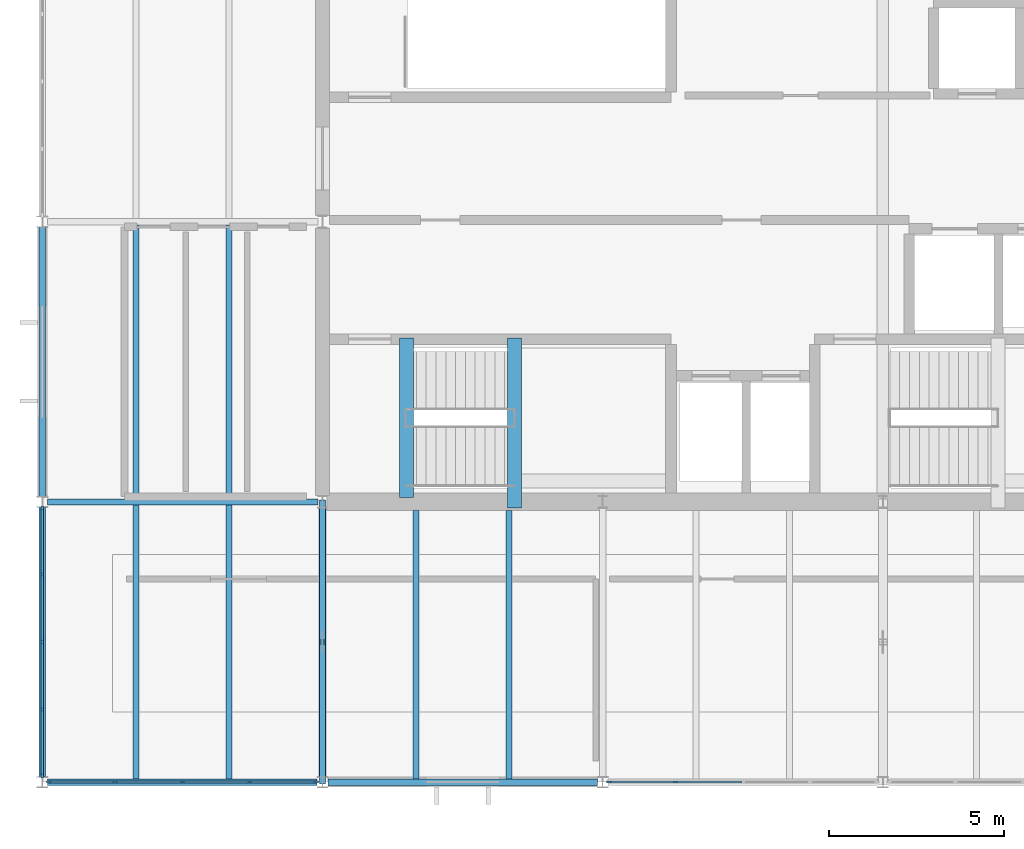
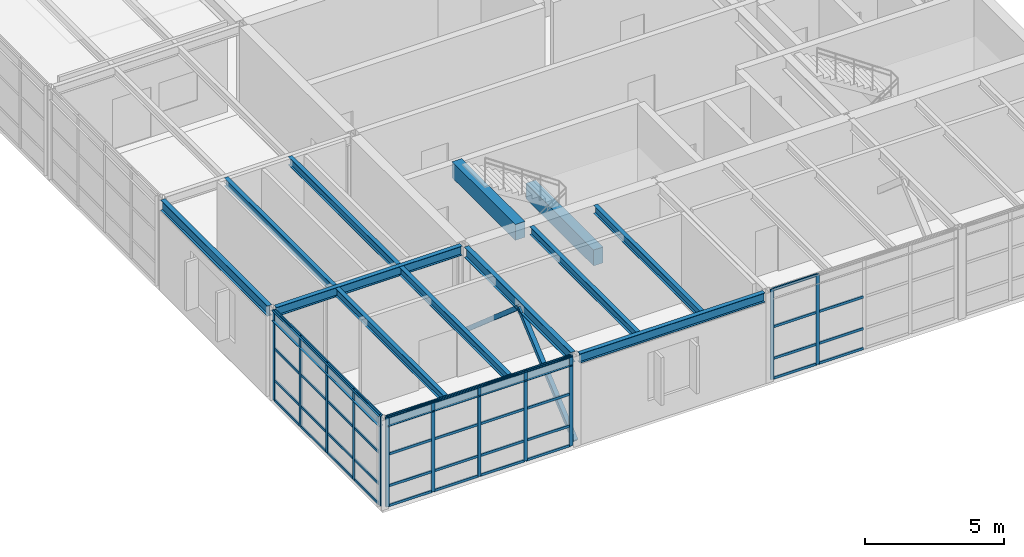
# One storey, part 3 of 15: 53 members, 14 beams, 3 elements without a shape of their own.
"""IFC4 building model written with IfcOpenShell, lengths in metres."""

from ifc_helpers import new_model, si_unit, direction, frame, origin, origin_2d, place, context, subcontext, project, spatial, rectangle, hollow_rectangle, i_section, extrude, material, layer, layer_set, material_profile, profile_set, type_object, element, aggregate, save


model = new_model("IFC4")

# Units and contexts
model_context = context("Model", 3, precision=1e-05, world=origin(), true_north=direction((0.0, 1.0)))
body_context = subcontext(model_context, "Body", "Model", "MODEL_VIEW")
ifc_project = project(units=[si_unit("LENGTHUNIT", "METRE"), si_unit("AREAUNIT", "SQUARE_METRE"), si_unit("VOLUMEUNIT", "CUBIC_METRE"), si_unit("PLANEANGLEUNIT", "RADIAN"), si_unit("MASSUNIT", "GRAM", prefix="KILO")], contexts=[model_context])

# Site, building, storey
site_placement = place(None, origin())
site = spatial("IfcSite", under=ifc_project, at=site_placement, CompositionType="ELEMENT")
building_placement = place(site_placement, origin())
building = spatial("IfcBuilding", under=site, at=building_placement, Name="Varnela Railside Interchange", CompositionType="ELEMENT")
storey_placement = place(building_placement, frame((0.0, 0.0, 32.199951171875)))
storey = spatial("IfcBuildingStorey", under=building, at=storey_placement, Name="L07", CompositionType="ELEMENT", Elevation=32.199951171875)

# Beams
ifc_material_1 = material(Name="Concrete C40", Category="concrete")
ifc_material_profile_1 = material_profile(ifc_material_1, rectangle(XDim=0.39990234375, YDim=0.699951171875, at=origin_2d()), Name="RC 400x700")
ifc_profile_set_1 = profile_set([ifc_material_profile_1], Name="Concrete C40")
beam_type_1 = type_object("IfcBeamType", Name="Concrete Tie Beam B-01", PredefinedType="BEAM", material=ifc_profile_set_1)
beam_1_placement = place(storey_placement, frame((14.39990234375, 54.1201171875, 3.610107421875), z_axis=(0.0, 1.0, 0.0), x_axis=(-1.0, 0.0, 0.0)))
element("IfcBeam", 1, at=beam_1_placement, inside=storey, type_object=beam_type_1, Name="Concrete Tie Beam B-01 (L07) (BM-2783)", PredefinedType="BEAM", context=body_context, shape_type="SweptSolid", body=[
    extrude(rectangle(XDim=0.39990234375, YDim=0.699951171875, at=origin_2d()), origin(), (0.0, 0.0, 1.0), 4.559814453125),
])
beam_2_placement = place(storey_placement, frame((17.47998046875, 53.820068359375, 1.590087890625), z_axis=(0.0, 1.0, 0.0), x_axis=(-1.0, 0.0, 0.0)))
element("IfcBeam", 2, at=beam_2_placement, inside=storey, type_object=beam_type_1, Name="Concrete Tie Beam B-01 (L07) (BM-2781)", PredefinedType="BEAM", context=body_context, shape_type="SweptSolid", body=[
    extrude(rectangle(XDim=0.39990234375, YDim=0.699951171875, at=origin_2d()), origin(), (0.0, 0.0, 1.0), 4.85986328125),
])

# Members
ifc_material_2 = material(Name="Steel AR 350 (350 MPa)", Category="steel")
ifc_material_profile_2 = material_profile(ifc_material_2, hollow_rectangle(XDim=0.179931640625, YDim=0.179931640625, WallThickness=0.010009765625, at=origin_2d()), Name="HSS 180x180x10")
ifc_profile_set_2 = profile_set([ifc_material_profile_2], Name="Steel AR 350 (350 MPa)")
member_type_1 = type_object("IfcMemberType", Name="Crown Chevron Brace BR-07", PredefinedType="BRACE", material=ifc_profile_set_2)
for number, where, z_axis, x_axis, name in (
    (3, (12.0, 46.0, 0.150146484375), (0.0, 0.756316256301, 0.6542061758), (-1.0, 0.0, 0.0), "Crown Chevron Brace BR-07 (L07) (MB-0192)"),
    (4, (12.0, 54.0, 0.150146484375), (0.0, -0.756316256301, 0.6542061758), (1.0, 0.0, 0.0), "Crown Chevron Brace BR-07 (L07) (MB-0193)"),
):
    element("IfcMember", number, at=place(storey_placement, frame(where, z_axis=z_axis, x_axis=x_axis)), inside=storey, type_object=member_type_1, Name=name, PredefinedType="BRACE", context=body_context, shape_type="SweptSolid", body=[
        extrude(hollow_rectangle(XDim=0.179931640625, YDim=0.179931640625, WallThickness=0.010009765625, at=origin_2d()), origin(), (0.0, 0.0, 1.0), 5.288818359375),
    ])

# Curtain wall, members
ifc_material_3 = material(Name="Aluminium 6063-T6", Category="aluminium")
ifc_layer = layer(ifc_material_3, 0.035888671875)
ifc_layer_set = layer_set([ifc_layer], Name="Aluminium 6063-T6")
curtain_wall_type = type_object("IfcCurtainWallType", Name="Operations Wing Facade Curtain Wall CW-03", PredefinedType="USERDEFINED", material=ifc_layer_set)
curtain_wall_1_placement = place(storey_placement, origin())
curtain_wall_1 = element("IfcCurtainWall", 5, at=curtain_wall_1_placement, inside=storey, type_object=curtain_wall_type, Name="Curtain Wall CW-03 (L07) (CW-154)", ObjectType="CURTAIN WALL", PredefinedType="USERDEFINED")
ifc_material_profile_3 = material_profile(ifc_material_3, rectangle(XDim=0.06005859375, YDim=0.139892578125, at=origin_2d()), Name="ALU 60x140")
ifc_profile_set_3 = profile_set([ifc_material_profile_3], Name="Aluminium 6063-T6")
member_type_2 = type_object("IfcMemberType", Name="Curtain Wall Mullion ML-01", PredefinedType="MULLION", material=ifc_profile_set_3)
member_1_placement = place(storey_placement, frame((22.077392578125, 46.0, 0.0), z_axis=(0.0, 0.0, 1.0), x_axis=(0.0, -1.0, 0.0)))
member_1 = element("IfcMember", 6, at=member_1_placement, type_object=member_type_2, Name="CW-03 mullion 4", PredefinedType="MULLION", context=body_context, shape_type="SweptSolid", body=[
    extrude(rectangle(XDim=0.06005859375, YDim=0.139892578125, at=origin_2d()), origin(), (0.0, 0.0, 1.0), 3.9599609375),
])
member_2_placement = place(storey_placement, frame((20.18505859375, 46.0, 0.0), z_axis=(0.0, 0.0, 1.0), x_axis=(0.0, -1.0, 0.0)))
member_2 = element("IfcMember", 7, at=member_2_placement, type_object=member_type_2, Name="CW-03 mullion 5", PredefinedType="MULLION", context=body_context, shape_type="SweptSolid", body=[
    extrude(rectangle(XDim=0.06005859375, YDim=0.139892578125, at=origin_2d()), origin(), (0.0, 0.0, 1.0), 3.9599609375),
])

curtain_wall_2_placement = place(storey_placement, origin())
curtain_wall_2 = element("IfcCurtainWall", 8, at=curtain_wall_2_placement, inside=storey, type_object=curtain_wall_type, Name="Curtain Wall CW-03 (L07) (CW-155)", ObjectType="CURTAIN WALL", PredefinedType="USERDEFINED")
member_3_placement = place(storey_placement, frame((11.81494140625, 46.0, 0.0), z_axis=(0.0, 0.0, 1.0), x_axis=(0.0, -1.0, 0.0)))
member_3 = element("IfcMember", 9, at=member_3_placement, type_object=member_type_2, Name="CW-03 mullion 1", PredefinedType="MULLION", context=body_context, shape_type="SweptSolid", body=[
    extrude(rectangle(XDim=0.06005859375, YDim=0.139892578125, at=origin_2d()), origin(), (0.0, 0.0, 1.0), 3.9599609375),
])
member_4_placement = place(storey_placement, frame((9.922607421875, 46.0, 0.0), z_axis=(0.0, 0.0, 1.0), x_axis=(0.0, -1.0, 0.0)))
member_4 = element("IfcMember", 10, at=member_4_placement, type_object=member_type_2, Name="CW-03 mullion 2", PredefinedType="MULLION", context=body_context, shape_type="SweptSolid", body=[
    extrude(rectangle(XDim=0.06005859375, YDim=0.139892578125, at=origin_2d()), origin(), (0.0, 0.0, 1.0), 3.9599609375),
])
member_5_placement = place(storey_placement, frame((8.0, 46.0, 0.0), z_axis=(0.0, 0.0, 1.0), x_axis=(0.0, -1.0, 0.0)))
member_5 = element("IfcMember", 11, at=member_5_placement, type_object=member_type_2, Name="CW-03 mullion 3", PredefinedType="MULLION", context=body_context, shape_type="SweptSolid", body=[
    extrude(rectangle(XDim=0.06005859375, YDim=0.139892578125, at=origin_2d()), origin(), (0.0, 0.0, 1.0), 3.9599609375),
])
member_6_placement = place(storey_placement, frame((6.077392578125, 46.0, 0.0), z_axis=(0.0, 0.0, 1.0), x_axis=(0.0, -1.0, 0.0)))
member_6 = element("IfcMember", 12, at=member_6_placement, type_object=member_type_2, Name="CW-03 mullion 4", PredefinedType="MULLION", context=body_context, shape_type="SweptSolid", body=[
    extrude(rectangle(XDim=0.06005859375, YDim=0.139892578125, at=origin_2d()), origin(), (0.0, 0.0, 1.0), 3.9599609375),
])
member_7_placement = place(storey_placement, frame((4.18505859375, 46.0, 0.0), z_axis=(0.0, 0.0, 1.0), x_axis=(0.0, -1.0, 0.0)))
member_7 = element("IfcMember", 13, at=member_7_placement, type_object=member_type_2, Name="CW-03 mullion 5", PredefinedType="MULLION", context=body_context, shape_type="SweptSolid", body=[
    extrude(rectangle(XDim=0.06005859375, YDim=0.139892578125, at=origin_2d()), origin(), (0.0, 0.0, 1.0), 3.9599609375),
])

curtain_wall_3_placement = place(storey_placement, origin())
curtain_wall_3 = element("IfcCurtainWall", 14, at=curtain_wall_3_placement, inside=storey, type_object=curtain_wall_type, Name="Curtain Wall CW-03 (L07) (CW-156)", ObjectType="CURTAIN WALL", PredefinedType="USERDEFINED")
member_8_placement = place(storey_placement, frame((4.0, 46.18408203125, 0.0), z_axis=(0.0, 0.0, 1.0), x_axis=(-1.0, 0.0, 0.0)))
member_8 = element("IfcMember", 15, at=member_8_placement, type_object=member_type_2, Name="CW-03 mullion 1", PredefinedType="MULLION", context=body_context, shape_type="SweptSolid", body=[
    extrude(rectangle(XDim=0.06005859375, YDim=0.139892578125, at=origin_2d()), origin(), (0.0, 0.0, 1.0), 3.9599609375),
])
member_9_placement = place(storey_placement, frame((4.0, 48.076904296875, 0.0), z_axis=(0.0, 0.0, 1.0), x_axis=(-1.0, 0.0, 0.0)))
member_9 = element("IfcMember", 16, at=member_9_placement, type_object=member_type_2, Name="CW-03 mullion 2", PredefinedType="MULLION", context=body_context, shape_type="SweptSolid", body=[
    extrude(rectangle(XDim=0.06005859375, YDim=0.139892578125, at=origin_2d()), origin(), (0.0, 0.0, 1.0), 3.9599609375),
])
member_10_placement = place(storey_placement, frame((4.0, 50.0, 0.0), z_axis=(0.0, 0.0, 1.0), x_axis=(-1.0, 0.0, 0.0)))
member_10 = element("IfcMember", 17, at=member_10_placement, type_object=member_type_2, Name="CW-03 mullion 3", PredefinedType="MULLION", context=body_context, shape_type="SweptSolid", body=[
    extrude(rectangle(XDim=0.06005859375, YDim=0.139892578125, at=origin_2d()), origin(), (0.0, 0.0, 1.0), 3.9599609375),
])
member_11_placement = place(storey_placement, frame((4.0, 51.923095703125, 0.0), z_axis=(0.0, 0.0, 1.0), x_axis=(-1.0, 0.0, 0.0)))
member_11 = element("IfcMember", 18, at=member_11_placement, type_object=member_type_2, Name="CW-03 mullion 4", PredefinedType="MULLION", context=body_context, shape_type="SweptSolid", body=[
    extrude(rectangle(XDim=0.06005859375, YDim=0.139892578125, at=origin_2d()), origin(), (0.0, 0.0, 1.0), 3.9599609375),
])
member_12_placement = place(storey_placement, frame((4.0, 53.81591796875, 0.0), z_axis=(0.0, 0.0, 1.0), x_axis=(-1.0, 0.0, 0.0)))
member_12 = element("IfcMember", 19, at=member_12_placement, type_object=member_type_2, Name="CW-03 mullion 5", PredefinedType="MULLION", context=body_context, shape_type="SweptSolid", body=[
    extrude(rectangle(XDim=0.06005859375, YDim=0.139892578125, at=origin_2d()), origin(), (0.0, 0.0, 1.0), 3.9599609375),
])

# Member
ifc_material_profile_4 = material_profile(ifc_material_3, rectangle(XDim=0.06005859375, YDim=0.110107421875, at=origin_2d()), Name="ALU 60x110")
ifc_profile_set_4 = profile_set([ifc_material_profile_4], Name="Aluminium 6063-T6")
member_type_3 = type_object("IfcMemberType", Name="Curtain Wall Transom TR-01", PredefinedType="USERDEFINED", material=ifc_profile_set_4)
member_13_placement = place(storey_placement, frame((23.969970703125, 46.0, 0.030029296875), z_axis=(-1.0, 0.0, 0.0), x_axis=(0.0, -1.0, 0.0)))
member_13 = element("IfcMember", 20, at=member_13_placement, type_object=member_type_3, Name="CW-03 transom 3.1", ObjectType="TRANSOM", PredefinedType="USERDEFINED", context=body_context, shape_type="SweptSolid", body=[
    extrude(rectangle(XDim=0.06005859375, YDim=0.110107421875, at=origin_2d()), origin(), (0.0, 0.0, 1.0), 1.862548828125),
])

member_14_placement = place(storey_placement, frame((23.969970703125, 46.0, 0.900146484375), z_axis=(-1.0, 0.0, 0.0), x_axis=(0.0, -1.0, 0.0)))
member_14 = element("IfcMember", 21, at=member_14_placement, type_object=member_type_3, Name="CW-03 transom 3.2", ObjectType="TRANSOM", PredefinedType="USERDEFINED", context=body_context, shape_type="SweptSolid", body=[
    extrude(rectangle(XDim=0.06005859375, YDim=0.110107421875, at=origin_2d()), origin(), (0.0, 0.0, 1.0), 1.862548828125),
])

member_15_placement = place(storey_placement, frame((23.969970703125, 46.0, 2.296875), z_axis=(-1.0, 0.0, 0.0), x_axis=(0.0, -1.0, 0.0)))
member_15 = element("IfcMember", 22, at=member_15_placement, type_object=member_type_3, Name="CW-03 transom 3.3", ObjectType="TRANSOM", PredefinedType="USERDEFINED", context=body_context, shape_type="SweptSolid", body=[
    extrude(rectangle(XDim=0.06005859375, YDim=0.110107421875, at=origin_2d()), origin(), (0.0, 0.0, 1.0), 1.862548828125),
])

member_16_placement = place(storey_placement, frame((22.047607421875, 46.0, 0.030029296875), z_axis=(-1.0, 0.0, 0.0), x_axis=(0.0, -1.0, 0.0)))
member_16 = element("IfcMember", 23, at=member_16_placement, type_object=member_type_3, Name="CW-03 transom 4.1", ObjectType="TRANSOM", PredefinedType="USERDEFINED", context=body_context, shape_type="SweptSolid", body=[
    extrude(rectangle(XDim=0.06005859375, YDim=0.110107421875, at=origin_2d()), origin(), (0.0, 0.0, 1.0), 1.83251953125),
])

member_17_placement = place(storey_placement, frame((22.047607421875, 46.0, 0.900146484375), z_axis=(-1.0, 0.0, 0.0), x_axis=(0.0, -1.0, 0.0)))
member_17 = element("IfcMember", 24, at=member_17_placement, type_object=member_type_3, Name="CW-03 transom 4.2", ObjectType="TRANSOM", PredefinedType="USERDEFINED", context=body_context, shape_type="SweptSolid", body=[
    extrude(rectangle(XDim=0.06005859375, YDim=0.110107421875, at=origin_2d()), origin(), (0.0, 0.0, 1.0), 1.83251953125),
])

member_18_placement = place(storey_placement, frame((22.047607421875, 46.0, 2.296875), z_axis=(-1.0, 0.0, 0.0), x_axis=(0.0, -1.0, 0.0)))
member_18 = element("IfcMember", 25, at=member_18_placement, type_object=member_type_3, Name="CW-03 transom 4.3", ObjectType="TRANSOM", PredefinedType="USERDEFINED", context=body_context, shape_type="SweptSolid", body=[
    extrude(rectangle(XDim=0.06005859375, YDim=0.110107421875, at=origin_2d()), origin(), (0.0, 0.0, 1.0), 1.83251953125),
])

member_19_placement = place(storey_placement, frame((22.047607421875, 46.0, 3.929931640625), z_axis=(-1.0, 0.0, 0.0), x_axis=(0.0, -1.0, 0.0)))
member_19 = element("IfcMember", 26, at=member_19_placement, type_object=member_type_3, Name="CW-03 transom 4.4", ObjectType="TRANSOM", PredefinedType="USERDEFINED", context=body_context, shape_type="SweptSolid", body=[
    extrude(rectangle(XDim=0.06005859375, YDim=0.110107421875, at=origin_2d()), origin(), (0.0, 0.0, 1.0), 1.83251953125),
])

aggregate(curtain_wall_1, [member_1, member_2, member_13, member_14, member_15, member_16, member_17, member_18, member_19])

member_20_placement = place(storey_placement, frame((11.784912109375, 46.0, 0.030029296875), z_axis=(-1.0, 0.0, 0.0), x_axis=(0.0, -1.0, 0.0)))
member_20 = element("IfcMember", 27, at=member_20_placement, type_object=member_type_3, Name="CW-03 transom 1.1", ObjectType="TRANSOM", PredefinedType="USERDEFINED", context=body_context, shape_type="SweptSolid", body=[
    extrude(rectangle(XDim=0.06005859375, YDim=0.110107421875, at=origin_2d()), origin(), (0.0, 0.0, 1.0), 1.83251953125),
])

member_21_placement = place(storey_placement, frame((11.784912109375, 46.0, 0.900146484375), z_axis=(-1.0, 0.0, 0.0), x_axis=(0.0, -1.0, 0.0)))
member_21 = element("IfcMember", 28, at=member_21_placement, type_object=member_type_3, Name="CW-03 transom 1.2", ObjectType="TRANSOM", PredefinedType="USERDEFINED", context=body_context, shape_type="SweptSolid", body=[
    extrude(rectangle(XDim=0.06005859375, YDim=0.110107421875, at=origin_2d()), origin(), (0.0, 0.0, 1.0), 1.83251953125),
])

member_22_placement = place(storey_placement, frame((11.784912109375, 46.0, 2.296875), z_axis=(-1.0, 0.0, 0.0), x_axis=(0.0, -1.0, 0.0)))
member_22 = element("IfcMember", 29, at=member_22_placement, type_object=member_type_3, Name="CW-03 transom 1.3", ObjectType="TRANSOM", PredefinedType="USERDEFINED", context=body_context, shape_type="SweptSolid", body=[
    extrude(rectangle(XDim=0.06005859375, YDim=0.110107421875, at=origin_2d()), origin(), (0.0, 0.0, 1.0), 1.83251953125),
])

member_23_placement = place(storey_placement, frame((11.784912109375, 46.0, 3.929931640625), z_axis=(-1.0, 0.0, 0.0), x_axis=(0.0, -1.0, 0.0)))
member_23 = element("IfcMember", 30, at=member_23_placement, type_object=member_type_3, Name="CW-03 transom 1.4", ObjectType="TRANSOM", PredefinedType="USERDEFINED", context=body_context, shape_type="SweptSolid", body=[
    extrude(rectangle(XDim=0.06005859375, YDim=0.110107421875, at=origin_2d()), origin(), (0.0, 0.0, 1.0), 1.83251953125),
])

member_24_placement = place(storey_placement, frame((9.892578125, 46.0, 0.030029296875), z_axis=(-1.0, 0.0, 0.0), x_axis=(0.0, -1.0, 0.0)))
member_24 = element("IfcMember", 31, at=member_24_placement, type_object=member_type_3, Name="CW-03 transom 2.1", ObjectType="TRANSOM", PredefinedType="USERDEFINED", context=body_context, shape_type="SweptSolid", body=[
    extrude(rectangle(XDim=0.06005859375, YDim=0.110107421875, at=origin_2d()), origin(), (0.0, 0.0, 1.0), 1.862548828125),
])

member_25_placement = place(storey_placement, frame((9.892578125, 46.0, 0.900146484375), z_axis=(-1.0, 0.0, 0.0), x_axis=(0.0, -1.0, 0.0)))
member_25 = element("IfcMember", 32, at=member_25_placement, type_object=member_type_3, Name="CW-03 transom 2.2", ObjectType="TRANSOM", PredefinedType="USERDEFINED", context=body_context, shape_type="SweptSolid", body=[
    extrude(rectangle(XDim=0.06005859375, YDim=0.110107421875, at=origin_2d()), origin(), (0.0, 0.0, 1.0), 1.862548828125),
])

member_26_placement = place(storey_placement, frame((9.892578125, 46.0, 2.296875), z_axis=(-1.0, 0.0, 0.0), x_axis=(0.0, -1.0, 0.0)))
member_26 = element("IfcMember", 33, at=member_26_placement, type_object=member_type_3, Name="CW-03 transom 2.3", ObjectType="TRANSOM", PredefinedType="USERDEFINED", context=body_context, shape_type="SweptSolid", body=[
    extrude(rectangle(XDim=0.06005859375, YDim=0.110107421875, at=origin_2d()), origin(), (0.0, 0.0, 1.0), 1.862548828125),
])

member_27_placement = place(storey_placement, frame((9.892578125, 46.0, 3.929931640625), z_axis=(-1.0, 0.0, 0.0), x_axis=(0.0, -1.0, 0.0)))
member_27 = element("IfcMember", 34, at=member_27_placement, type_object=member_type_3, Name="CW-03 transom 2.4", ObjectType="TRANSOM", PredefinedType="USERDEFINED", context=body_context, shape_type="SweptSolid", body=[
    extrude(rectangle(XDim=0.06005859375, YDim=0.110107421875, at=origin_2d()), origin(), (0.0, 0.0, 1.0), 1.862548828125),
])

member_28_placement = place(storey_placement, frame((7.969970703125, 46.0, 0.030029296875), z_axis=(-1.0, 0.0, 0.0), x_axis=(0.0, -1.0, 0.0)))
member_28 = element("IfcMember", 35, at=member_28_placement, type_object=member_type_3, Name="CW-03 transom 3.1", ObjectType="TRANSOM", PredefinedType="USERDEFINED", context=body_context, shape_type="SweptSolid", body=[
    extrude(rectangle(XDim=0.06005859375, YDim=0.110107421875, at=origin_2d()), origin(), (0.0, 0.0, 1.0), 1.862548828125),
])

member_29_placement = place(storey_placement, frame((7.969970703125, 46.0, 0.900146484375), z_axis=(-1.0, 0.0, 0.0), x_axis=(0.0, -1.0, 0.0)))
member_29 = element("IfcMember", 36, at=member_29_placement, type_object=member_type_3, Name="CW-03 transom 3.2", ObjectType="TRANSOM", PredefinedType="USERDEFINED", context=body_context, shape_type="SweptSolid", body=[
    extrude(rectangle(XDim=0.06005859375, YDim=0.110107421875, at=origin_2d()), origin(), (0.0, 0.0, 1.0), 1.862548828125),
])

member_30_placement = place(storey_placement, frame((7.969970703125, 46.0, 2.296875), z_axis=(-1.0, 0.0, 0.0), x_axis=(0.0, -1.0, 0.0)))
member_30 = element("IfcMember", 37, at=member_30_placement, type_object=member_type_3, Name="CW-03 transom 3.3", ObjectType="TRANSOM", PredefinedType="USERDEFINED", context=body_context, shape_type="SweptSolid", body=[
    extrude(rectangle(XDim=0.06005859375, YDim=0.110107421875, at=origin_2d()), origin(), (0.0, 0.0, 1.0), 1.862548828125),
])

member_31_placement = place(storey_placement, frame((7.969970703125, 46.0, 3.929931640625), z_axis=(-1.0, 0.0, 0.0), x_axis=(0.0, -1.0, 0.0)))
member_31 = element("IfcMember", 38, at=member_31_placement, type_object=member_type_3, Name="CW-03 transom 3.4", ObjectType="TRANSOM", PredefinedType="USERDEFINED", context=body_context, shape_type="SweptSolid", body=[
    extrude(rectangle(XDim=0.06005859375, YDim=0.110107421875, at=origin_2d()), origin(), (0.0, 0.0, 1.0), 1.862548828125),
])

member_32_placement = place(storey_placement, frame((6.047607421875, 46.0, 0.030029296875), z_axis=(-1.0, 0.0, 0.0), x_axis=(0.0, -1.0, 0.0)))
member_32 = element("IfcMember", 39, at=member_32_placement, type_object=member_type_3, Name="CW-03 transom 4.1", ObjectType="TRANSOM", PredefinedType="USERDEFINED", context=body_context, shape_type="SweptSolid", body=[
    extrude(rectangle(XDim=0.06005859375, YDim=0.110107421875, at=origin_2d()), origin(), (0.0, 0.0, 1.0), 1.83251953125),
])

member_33_placement = place(storey_placement, frame((6.047607421875, 46.0, 0.900146484375), z_axis=(-1.0, 0.0, 0.0), x_axis=(0.0, -1.0, 0.0)))
member_33 = element("IfcMember", 40, at=member_33_placement, type_object=member_type_3, Name="CW-03 transom 4.2", ObjectType="TRANSOM", PredefinedType="USERDEFINED", context=body_context, shape_type="SweptSolid", body=[
    extrude(rectangle(XDim=0.06005859375, YDim=0.110107421875, at=origin_2d()), origin(), (0.0, 0.0, 1.0), 1.83251953125),
])

member_34_placement = place(storey_placement, frame((6.047607421875, 46.0, 2.296875), z_axis=(-1.0, 0.0, 0.0), x_axis=(0.0, -1.0, 0.0)))
member_34 = element("IfcMember", 41, at=member_34_placement, type_object=member_type_3, Name="CW-03 transom 4.3", ObjectType="TRANSOM", PredefinedType="USERDEFINED", context=body_context, shape_type="SweptSolid", body=[
    extrude(rectangle(XDim=0.06005859375, YDim=0.110107421875, at=origin_2d()), origin(), (0.0, 0.0, 1.0), 1.83251953125),
])

member_35_placement = place(storey_placement, frame((6.047607421875, 46.0, 3.929931640625), z_axis=(-1.0, 0.0, 0.0), x_axis=(0.0, -1.0, 0.0)))
member_35 = element("IfcMember", 42, at=member_35_placement, type_object=member_type_3, Name="CW-03 transom 4.4", ObjectType="TRANSOM", PredefinedType="USERDEFINED", context=body_context, shape_type="SweptSolid", body=[
    extrude(rectangle(XDim=0.06005859375, YDim=0.110107421875, at=origin_2d()), origin(), (0.0, 0.0, 1.0), 1.83251953125),
])

aggregate(curtain_wall_2, [member_3, member_4, member_5, member_6, member_7, member_20, member_21, member_22, member_23, member_24, member_25, member_26, member_27, member_28, member_29, member_30, member_31, member_32, member_33, member_34, member_35])

member_36_placement = place(storey_placement, frame((4.0, 46.214111328125, 0.030029296875), z_axis=(0.0, 1.0, 0.0), x_axis=(-1.0, 0.0, 0.0)))
member_36 = element("IfcMember", 43, at=member_36_placement, type_object=member_type_3, Name="CW-03 transom 1.1", ObjectType="TRANSOM", PredefinedType="USERDEFINED", context=body_context, shape_type="SweptSolid", body=[
    extrude(rectangle(XDim=0.06005859375, YDim=0.110107421875, at=origin_2d()), origin(), (0.0, 0.0, 1.0), 1.8330078125),
])

member_37_placement = place(storey_placement, frame((4.0, 46.214111328125, 0.900146484375), z_axis=(0.0, 1.0, 0.0), x_axis=(-1.0, 0.0, 0.0)))
member_37 = element("IfcMember", 44, at=member_37_placement, type_object=member_type_3, Name="CW-03 transom 1.2", ObjectType="TRANSOM", PredefinedType="USERDEFINED", context=body_context, shape_type="SweptSolid", body=[
    extrude(rectangle(XDim=0.06005859375, YDim=0.110107421875, at=origin_2d()), origin(), (0.0, 0.0, 1.0), 1.8330078125),
])

member_38_placement = place(storey_placement, frame((4.0, 46.214111328125, 2.296875), z_axis=(0.0, 1.0, 0.0), x_axis=(-1.0, 0.0, 0.0)))
member_38 = element("IfcMember", 45, at=member_38_placement, type_object=member_type_3, Name="CW-03 transom 1.3", ObjectType="TRANSOM", PredefinedType="USERDEFINED", context=body_context, shape_type="SweptSolid", body=[
    extrude(rectangle(XDim=0.06005859375, YDim=0.110107421875, at=origin_2d()), origin(), (0.0, 0.0, 1.0), 1.8330078125),
])

member_39_placement = place(storey_placement, frame((4.0, 46.214111328125, 3.929931640625), z_axis=(0.0, 1.0, 0.0), x_axis=(-1.0, 0.0, 0.0)))
member_39 = element("IfcMember", 46, at=member_39_placement, type_object=member_type_3, Name="CW-03 transom 1.4", ObjectType="TRANSOM", PredefinedType="USERDEFINED", context=body_context, shape_type="SweptSolid", body=[
    extrude(rectangle(XDim=0.06005859375, YDim=0.110107421875, at=origin_2d()), origin(), (0.0, 0.0, 1.0), 1.8330078125),
])

member_40_placement = place(storey_placement, frame((4.0, 48.10693359375, 0.030029296875), z_axis=(0.0, 1.0, 0.0), x_axis=(-1.0, 0.0, 0.0)))
member_40 = element("IfcMember", 47, at=member_40_placement, type_object=member_type_3, Name="CW-03 transom 2.1", ObjectType="TRANSOM", PredefinedType="USERDEFINED", context=body_context, shape_type="SweptSolid", body=[
    extrude(rectangle(XDim=0.06005859375, YDim=0.110107421875, at=origin_2d()), origin(), (0.0, 0.0, 1.0), 1.863037109375),
])

member_41_placement = place(storey_placement, frame((4.0, 48.10693359375, 0.900146484375), z_axis=(0.0, 1.0, 0.0), x_axis=(-1.0, 0.0, 0.0)))
member_41 = element("IfcMember", 48, at=member_41_placement, type_object=member_type_3, Name="CW-03 transom 2.2", ObjectType="TRANSOM", PredefinedType="USERDEFINED", context=body_context, shape_type="SweptSolid", body=[
    extrude(rectangle(XDim=0.06005859375, YDim=0.110107421875, at=origin_2d()), origin(), (0.0, 0.0, 1.0), 1.863037109375),
])

member_42_placement = place(storey_placement, frame((4.0, 48.10693359375, 2.296875), z_axis=(0.0, 1.0, 0.0), x_axis=(-1.0, 0.0, 0.0)))
member_42 = element("IfcMember", 49, at=member_42_placement, type_object=member_type_3, Name="CW-03 transom 2.3", ObjectType="TRANSOM", PredefinedType="USERDEFINED", context=body_context, shape_type="SweptSolid", body=[
    extrude(rectangle(XDim=0.06005859375, YDim=0.110107421875, at=origin_2d()), origin(), (0.0, 0.0, 1.0), 1.863037109375),
])

member_43_placement = place(storey_placement, frame((4.0, 48.10693359375, 3.929931640625), z_axis=(0.0, 1.0, 0.0), x_axis=(-1.0, 0.0, 0.0)))
member_43 = element("IfcMember", 50, at=member_43_placement, type_object=member_type_3, Name="CW-03 transom 2.4", ObjectType="TRANSOM", PredefinedType="USERDEFINED", context=body_context, shape_type="SweptSolid", body=[
    extrude(rectangle(XDim=0.06005859375, YDim=0.110107421875, at=origin_2d()), origin(), (0.0, 0.0, 1.0), 1.863037109375),
])

member_44_placement = place(storey_placement, frame((4.0, 50.030029296875, 0.030029296875), z_axis=(0.0, 1.0, 0.0), x_axis=(-1.0, 0.0, 0.0)))
member_44 = element("IfcMember", 51, at=member_44_placement, type_object=member_type_3, Name="CW-03 transom 3.1", ObjectType="TRANSOM", PredefinedType="USERDEFINED", context=body_context, shape_type="SweptSolid", body=[
    extrude(rectangle(XDim=0.06005859375, YDim=0.110107421875, at=origin_2d()), origin(), (0.0, 0.0, 1.0), 1.863037109375),
])

member_45_placement = place(storey_placement, frame((4.0, 50.030029296875, 0.900146484375), z_axis=(0.0, 1.0, 0.0), x_axis=(-1.0, 0.0, 0.0)))
member_45 = element("IfcMember", 52, at=member_45_placement, type_object=member_type_3, Name="CW-03 transom 3.2", ObjectType="TRANSOM", PredefinedType="USERDEFINED", context=body_context, shape_type="SweptSolid", body=[
    extrude(rectangle(XDim=0.06005859375, YDim=0.110107421875, at=origin_2d()), origin(), (0.0, 0.0, 1.0), 1.863037109375),
])

member_46_placement = place(storey_placement, frame((4.0, 50.030029296875, 2.296875), z_axis=(0.0, 1.0, 0.0), x_axis=(-1.0, 0.0, 0.0)))
member_46 = element("IfcMember", 53, at=member_46_placement, type_object=member_type_3, Name="CW-03 transom 3.3", ObjectType="TRANSOM", PredefinedType="USERDEFINED", context=body_context, shape_type="SweptSolid", body=[
    extrude(rectangle(XDim=0.06005859375, YDim=0.110107421875, at=origin_2d()), origin(), (0.0, 0.0, 1.0), 1.863037109375),
])

member_47_placement = place(storey_placement, frame((4.0, 50.030029296875, 3.929931640625), z_axis=(0.0, 1.0, 0.0), x_axis=(-1.0, 0.0, 0.0)))
member_47 = element("IfcMember", 54, at=member_47_placement, type_object=member_type_3, Name="CW-03 transom 3.4", ObjectType="TRANSOM", PredefinedType="USERDEFINED", context=body_context, shape_type="SweptSolid", body=[
    extrude(rectangle(XDim=0.06005859375, YDim=0.110107421875, at=origin_2d()), origin(), (0.0, 0.0, 1.0), 1.863037109375),
])

member_48_placement = place(storey_placement, frame((4.0, 51.952880859375, 0.030029296875), z_axis=(0.0, 1.0, 0.0), x_axis=(-1.0, 0.0, 0.0)))
member_48 = element("IfcMember", 55, at=member_48_placement, type_object=member_type_3, Name="CW-03 transom 4.1", ObjectType="TRANSOM", PredefinedType="USERDEFINED", context=body_context, shape_type="SweptSolid", body=[
    extrude(rectangle(XDim=0.06005859375, YDim=0.110107421875, at=origin_2d()), origin(), (0.0, 0.0, 1.0), 1.8330078125),
])

member_49_placement = place(storey_placement, frame((4.0, 51.952880859375, 0.900146484375), z_axis=(0.0, 1.0, 0.0), x_axis=(-1.0, 0.0, 0.0)))
member_49 = element("IfcMember", 56, at=member_49_placement, type_object=member_type_3, Name="CW-03 transom 4.2", ObjectType="TRANSOM", PredefinedType="USERDEFINED", context=body_context, shape_type="SweptSolid", body=[
    extrude(rectangle(XDim=0.06005859375, YDim=0.110107421875, at=origin_2d()), origin(), (0.0, 0.0, 1.0), 1.8330078125),
])

member_50_placement = place(storey_placement, frame((4.0, 51.952880859375, 2.296875), z_axis=(0.0, 1.0, 0.0), x_axis=(-1.0, 0.0, 0.0)))
member_50 = element("IfcMember", 57, at=member_50_placement, type_object=member_type_3, Name="CW-03 transom 4.3", ObjectType="TRANSOM", PredefinedType="USERDEFINED", context=body_context, shape_type="SweptSolid", body=[
    extrude(rectangle(XDim=0.06005859375, YDim=0.110107421875, at=origin_2d()), origin(), (0.0, 0.0, 1.0), 1.8330078125),
])

member_51_placement = place(storey_placement, frame((4.0, 51.952880859375, 3.929931640625), z_axis=(0.0, 1.0, 0.0), x_axis=(-1.0, 0.0, 0.0)))
member_51 = element("IfcMember", 58, at=member_51_placement, type_object=member_type_3, Name="CW-03 transom 4.4", ObjectType="TRANSOM", PredefinedType="USERDEFINED", context=body_context, shape_type="SweptSolid", body=[
    extrude(rectangle(XDim=0.06005859375, YDim=0.110107421875, at=origin_2d()), origin(), (0.0, 0.0, 1.0), 1.8330078125),
])

aggregate(curtain_wall_3, [member_8, member_9, member_10, member_11, member_12, member_36, member_37, member_38, member_39, member_40, member_41, member_42, member_43, member_44, member_45, member_46, member_47, member_48, member_49, member_50, member_51])

# Beams
ifc_material_profile_5 = material_profile(ifc_material_2, i_section(OverallWidth=0.1708984375, OverallDepth=0.35498046875, WebThickness=0.007080078125, FlangeThickness=0.01171875, at=origin_2d()), Name="W360x51")
ifc_profile_set_5 = profile_set([ifc_material_profile_5], Name="Steel AR 350 (350 MPa)")
beam_type_2 = type_object("IfcBeamType", Name="Plant Floor Joist J-02", PredefinedType="JOIST", material=ifc_profile_set_5)
for number, where, z_axis, x_axis, name in (
    (59, (6.669921875, 46.094970703125, 3.782470703125), (0.0, 1.0, 0.0), (-1.0, 0.0, 0.0), "Plant Floor Joist J-02 (L07) (BM-2726)"),
    (60, (9.330078125, 46.094970703125, 3.782470703125), (0.0, 1.0, 0.0), (-1.0, 0.0, 0.0), "Plant Floor Joist J-02 (L07) (BM-2727)"),
    (61, (6.669921875, 54.094970703125, 3.782470703125), (0.0, 1.0, 0.0), (-1.0, 0.0, 0.0), "Plant Floor Joist J-02 (L07) (BM-2728)"),
    (62, (9.330078125, 54.094970703125, 3.782470703125), (0.0, 1.0, 0.0), (-1.0, 0.0, 0.0), "Plant Floor Joist J-02 (L07) (BM-2729)"),
):
    element("IfcBeam", number, at=place(storey_placement, frame(where, z_axis=z_axis, x_axis=x_axis)), inside=storey, type_object=beam_type_2, Name=name, PredefinedType="JOIST", context=body_context, shape_type="SweptSolid", body=[
        extrude(i_section(OverallWidth=0.1708984375, OverallDepth=0.35498046875, WebThickness=0.007080078125, FlangeThickness=0.01171875, at=origin_2d()), origin(), (0.0, 0.0, 1.0), 7.81005859375),
    ])
for number, where, z_axis, x_axis, name in (
    (63, (14.669921875, 46.094970703125, 3.782470703125), (0.0, 1.0, 0.0), (-1.0, 0.0, 0.0), "Plant Floor Joist J-02 (L07) (BM-2734)"),
    (64, (17.330078125, 46.094970703125, 3.782470703125), (0.0, 1.0, 0.0), (-1.0, 0.0, 0.0), "Plant Floor Joist J-02 (L07) (BM-2735)"),
):
    element("IfcBeam", number, at=place(storey_placement, frame(where, z_axis=z_axis, x_axis=x_axis)), inside=storey, type_object=beam_type_2, Name=name, PredefinedType="JOIST", context=body_context, shape_type="SweptSolid", body=[
        extrude(i_section(OverallWidth=0.1708984375, OverallDepth=0.35498046875, WebThickness=0.007080078125, FlangeThickness=0.01171875, at=origin_2d()), origin(), (0.0, 0.0, 1.0), 7.6650390625),
    ])
ifc_material_profile_6 = material_profile(ifc_material_2, i_section(OverallWidth=0.19091796875, OverallDepth=0.4599609375, WebThickness=0.010009765625, FlangeThickness=0.01611328125, at=origin_2d()), Name="W460x82")
ifc_profile_set_6 = profile_set([ifc_material_profile_6], Name="Steel AR 350 (350 MPa)")
beam_type_3 = type_object("IfcBeamType", Name="Steel Perimeter Spandrel SP-01", PredefinedType="SPANDREL", material=ifc_profile_set_6)
for number, where, z_axis, x_axis, name in (
    (65, (4.0, 46.154052734375, 3.72998046875), (0.0, 1.0, 0.0), (-1.0, 0.0, 0.0), "Steel Perimeter Spandrel SP-01 (L07) (BM-2761)"),
    (66, (4.0, 54.154052734375, 3.72998046875), (0.0, 1.0, 0.0), (-1.0, 0.0, 0.0), "Steel Perimeter Spandrel SP-01 (L07) (BM-2762)"),
):
    element("IfcBeam", number, at=place(storey_placement, frame(where, z_axis=z_axis, x_axis=x_axis)), inside=storey, type_object=beam_type_3, Name=name, PredefinedType="SPANDREL", context=body_context, shape_type="SweptSolid", body=[
        extrude(i_section(OverallWidth=0.19091796875, OverallDepth=0.4599609375, WebThickness=0.010009765625, FlangeThickness=0.01611328125, at=origin_2d()), origin(), (0.0, 0.0, 1.0), 7.69189453125),
    ])
beam_3_placement = place(storey_placement, frame((12.0, 46.154052734375, 3.72998046875), z_axis=(0.0, 1.0, 0.0), x_axis=(-1.0, 0.0, 0.0)))
element("IfcBeam", 67, at=beam_3_placement, inside=storey, type_object=beam_type_3, Name="Steel Perimeter Spandrel SP-01 (L07) (BM-2766)", PredefinedType="SPANDREL", context=body_context, shape_type="SweptSolid", body=[
    extrude(i_section(OverallWidth=0.19091796875, OverallDepth=0.4599609375, WebThickness=0.010009765625, FlangeThickness=0.01611328125, at=origin_2d()), origin(), (0.0, 0.0, 1.0), 7.66455078125),
])
ifc_material_profile_7 = material_profile(ifc_material_2, i_section(OverallWidth=0.178955078125, OverallDepth=0.409912109375, WebThickness=0.0087890625, FlangeThickness=0.014404296875, at=origin_2d()), Name="W410x67")
ifc_profile_set_7 = profile_set([ifc_material_profile_7], Name="Steel AR 350 (350 MPa)")
beam_type_4 = type_object("IfcBeamType", Name="Steel Terrace Spandrel SP-02", PredefinedType="SPANDREL", material=ifc_profile_set_7)
for number, where, z_axis, x_axis, name in (
    (68, (4.155029296875, 46.0, 3.755126953125), (1.0, 0.0, 0.0), (0.0, 1.0, 0.0), "Steel Terrace Spandrel SP-02 (L07) (BM-2749)"),
    (69, (12.155029296875, 46.0, 3.755126953125), (1.0, 0.0, 0.0), (0.0, 1.0, 0.0), "Steel Terrace Spandrel SP-02 (L07) (BM-2746)"),
):
    element("IfcBeam", number, at=place(storey_placement, frame(where, z_axis=z_axis, x_axis=x_axis)), inside=storey, type_object=beam_type_4, Name=name, PredefinedType="SPANDREL", context=body_context, shape_type="SweptSolid", body=[
        extrude(i_section(OverallWidth=0.178955078125, OverallDepth=0.409912109375, WebThickness=0.0087890625, FlangeThickness=0.014404296875, at=origin_2d()), origin(), (0.0, 0.0, 1.0), 7.68994140625),
    ])
beam_4_placement = place(storey_placement, frame((4.155029296875, 54.0, 3.755126953125), z_axis=(1.0, 0.0, 0.0), x_axis=(0.0, 1.0, 0.0)))
element("IfcBeam", 70, at=beam_4_placement, inside=storey, type_object=beam_type_4, Name="Steel Terrace Spandrel SP-02 (L07) (BM-2750)", PredefinedType="SPANDREL", context=body_context, shape_type="SweptSolid", body=[
    extrude(i_section(OverallWidth=0.178955078125, OverallDepth=0.409912109375, WebThickness=0.0087890625, FlangeThickness=0.014404296875, at=origin_2d()), origin(), (0.0, 0.0, 1.0), 7.716552734375),
])

save(model, "model.ifc")
